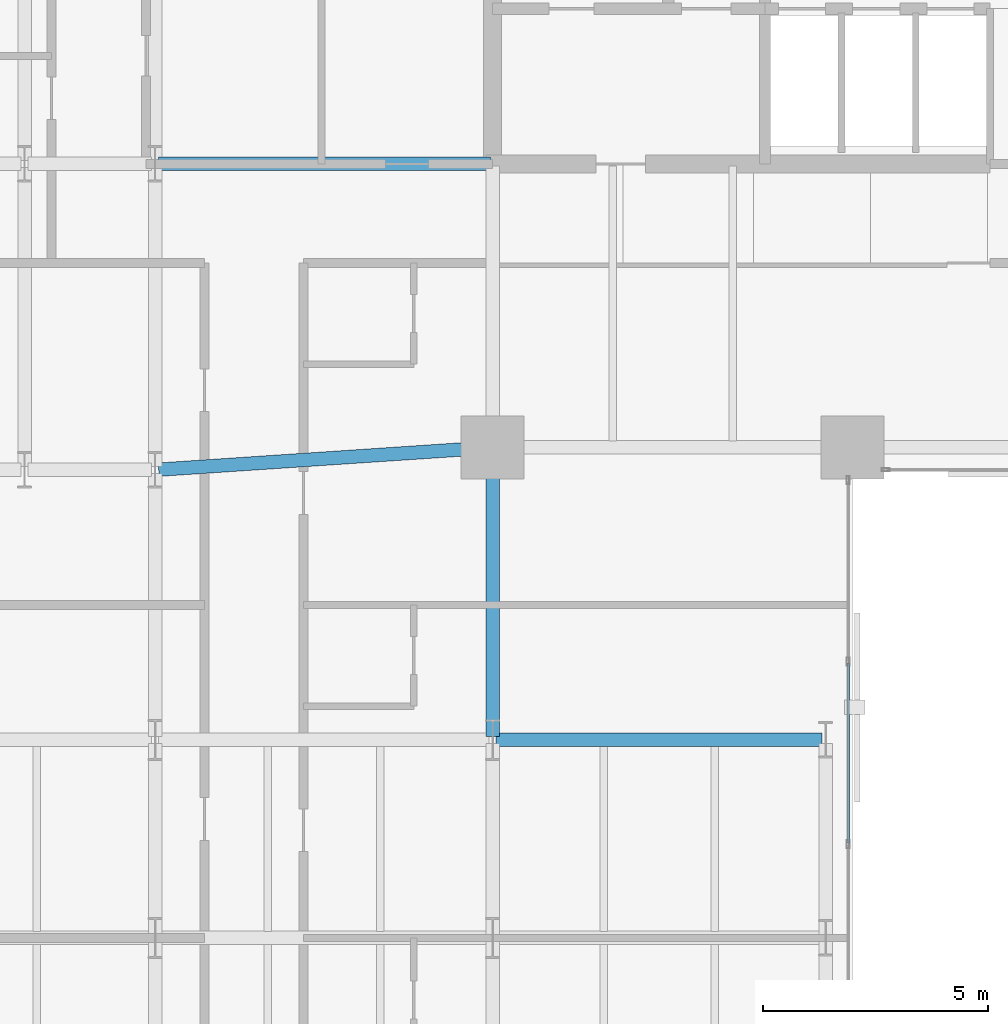
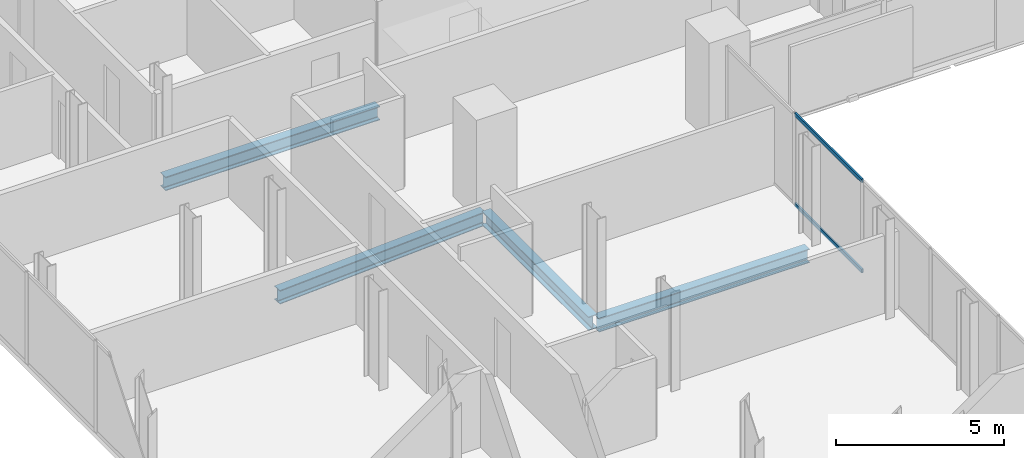
# One storey, part 12 of 33: 4 beams, 2 members, 1 element without a shape of its own.
"""IFC4 building model written with IfcOpenShell, lengths in metres."""

from ifc_helpers import new_model, si_unit, direction, frame, origin, origin_2d, place, context, subcontext, project, spatial, hollow_rectangle, i_section, extrude, material, layer, layer_set, material_profile, profile_set, type_object, element, aggregate, save


model = new_model("IFC4")

# Units and contexts
model_context = context("Model", 3, precision=1e-05, world=origin(), true_north=direction((0.0, 1.0)))
body_context = subcontext(model_context, "Body", "Model", "MODEL_VIEW")
ifc_project = project(units=[si_unit("LENGTHUNIT", "METRE"), si_unit("AREAUNIT", "SQUARE_METRE"), si_unit("VOLUMEUNIT", "CUBIC_METRE"), si_unit("PLANEANGLEUNIT", "RADIAN"), si_unit("MASSUNIT", "GRAM", prefix="KILO")], contexts=[model_context])

# Site, building, storey
site_placement = place(None, origin())
site = spatial("IfcSite", under=ifc_project, at=site_placement, CompositionType="ELEMENT")
building_placement = place(site_placement, origin())
building = spatial("IfcBuilding", under=site, at=building_placement, Name="Catumbela Crestline Tower", CompositionType="ELEMENT")
storey_placement = place(building_placement, frame((0.0, 0.0, 58.2)))
storey = spatial("IfcBuildingStorey", under=building, at=storey_placement, Name="L14", CompositionType="ELEMENT", Elevation=58.2)

# Beams
ifc_material_1 = material(Name="Structural steel S355J2", Category="steel")
ifc_material_profile_1 = material_profile(ifc_material_1, i_section(OverallWidth=0.3, OverallDepth=0.5, WebThickness=0.0145, FlangeThickness=0.028, FilletRadius=0.027, at=origin_2d()), Name="HEB 500")
ifc_profile_set_1 = profile_set([ifc_material_profile_1], Name="Structural steel S355J2")
beam_type = type_object("IfcBeamType", Name="BG-HEB500", PredefinedType="BEAM", material=ifc_profile_set_1)
beam_1_placement = place(storey_placement, frame((8.5798, 24.0053, -0.51), z_axis=(0.997784796964, 0.066524423687, 0.0), x_axis=(-0.066524423687, 0.997784796964, 0.0)))
element("IfcBeam", 1, at=beam_1_placement, inside=storey, type_object=beam_type, Name="L14 Beam BM-L14-S03", PredefinedType="BEAM", context=body_context, shape_type="SweptSolid", body=[
    extrude(i_section(OverallWidth=0.3, OverallDepth=0.5, WebThickness=0.0145, FlangeThickness=0.028, FilletRadius=0.027, at=origin_2d()), origin(), (0.0, 0.0, 1.0), 7.3567),
])
beam_2_placement = place(storey_placement, frame((8.58, 30.8, -0.51), z_axis=(1.0, 0.0, 0.0), x_axis=(0.0, 1.0, 0.0)))
element("IfcBeam", 2, at=beam_2_placement, inside=storey, type_object=beam_type, Name="L14 Beam BM-L14-M09", PredefinedType="BEAM", context=body_context, shape_type="SweptSolid", body=[
    extrude(i_section(OverallWidth=0.3, OverallDepth=0.5, WebThickness=0.0145, FlangeThickness=0.028, FilletRadius=0.027, at=origin_2d()), origin(), (0.0, 0.0, 1.0), 7.37),
])
beam_3_placement = place(storey_placement, frame((16.08, 18.0, -0.51), z_axis=(1.0, 0.0, 0.0), x_axis=(0.0, 1.0, 0.0)))
element("IfcBeam", 3, at=beam_3_placement, inside=storey, type_object=beam_type, Name="L14 Beam BM-L14-WEW56", PredefinedType="BEAM", context=body_context, shape_type="SweptSolid", body=[
    extrude(i_section(OverallWidth=0.3, OverallDepth=0.5, WebThickness=0.0145, FlangeThickness=0.028, FilletRadius=0.027, at=origin_2d()), origin(), (0.0, 0.0, 1.0), 7.24),
])
beam_4_placement = place(storey_placement, frame((16.0, 18.08, -0.51), z_axis=(0.0, 1.0, 0.0), x_axis=(-1.0, 0.0, 0.0)))
element("IfcBeam", 4, at=beam_4_placement, inside=storey, type_object=beam_type, Name="L14 Beam BM-L14-WNS67", PredefinedType="BEAM", context=body_context, shape_type="SweptSolid", body=[
    extrude(i_section(OverallWidth=0.3, OverallDepth=0.5, WebThickness=0.0145, FlangeThickness=0.028, FilletRadius=0.027, at=origin_2d()), origin(), (0.0, 0.0, 1.0), 6.34),
])

# Curtain wall, members
ifc_material_2 = material(Name="Aluminium alloy AW-6060-T66", Category="aluminium")
ifc_layer = layer(ifc_material_2, 0.18, Name="Aluminium alloy AW-6060-T66")
ifc_layer_set = layer_set([ifc_layer], Name="Aluminium alloy AW-6060-T66")
curtain_wall_type = type_object("IfcCurtainWallType", Name="CWU-Z1", PredefinedType="USERDEFINED", material=ifc_layer_set)
curtain_wall_placement = place(storey_placement, origin())
curtain_wall = element("IfcCurtainWall", 5, at=curtain_wall_placement, inside=storey, type_object=curtain_wall_type, Name="L14 Unitised Curtain Wall CW-L14-E2S1", ObjectType="UNITISED", PredefinedType="USERDEFINED")
ifc_material_profile_2 = material_profile(ifc_material_2, hollow_rectangle(XDim=0.06, YDim=0.14, WallThickness=0.004, at=origin_2d()), Name="ALU 140x60x4")
ifc_profile_set_2 = profile_set([ifc_material_profile_2], Name="Aluminium alloy AW-6060-T66")
member_type = type_object("IfcMemberType", Name="TRN-140X60", PredefinedType="USERDEFINED", material=ifc_profile_set_2)
member_1_placement = place(storey_placement, frame((23.9, 15.7125, 0.03), z_axis=(0.0, 1.0, 0.0), x_axis=(-1.0, 0.0, 0.0)))
member_1 = element("IfcMember", 6, at=member_1_placement, type_object=member_type, Name="CWU-Z1 transom 4.1", ObjectType="TRANSOM", PredefinedType="USERDEFINED", context=body_context, shape_type="SweptSolid", body=[
    extrude(hollow_rectangle(XDim=0.06, YDim=0.14, WallThickness=0.004, at=origin_2d()), origin(), (0.0, 0.0, 1.0), 3.995),
])
member_2_placement = place(storey_placement, frame((23.9, 15.7125, 3.3), z_axis=(0.0, 1.0, 0.0), x_axis=(-1.0, 0.0, 0.0)))
member_2 = element("IfcMember", 7, at=member_2_placement, type_object=member_type, Name="CWU-Z1 transom 4.2", ObjectType="TRANSOM", PredefinedType="USERDEFINED", context=body_context, shape_type="SweptSolid", body=[
    extrude(hollow_rectangle(XDim=0.06, YDim=0.14, WallThickness=0.004, at=origin_2d()), origin(), (0.0, 0.0, 1.0), 3.995),
])
aggregate(curtain_wall, [member_1, member_2])

save(model, "model.ifc")
